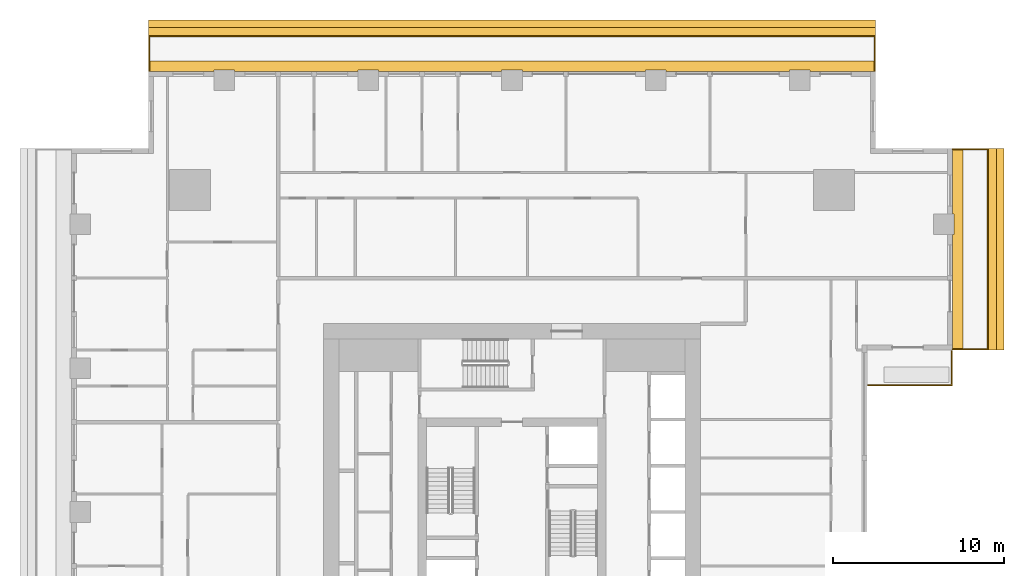
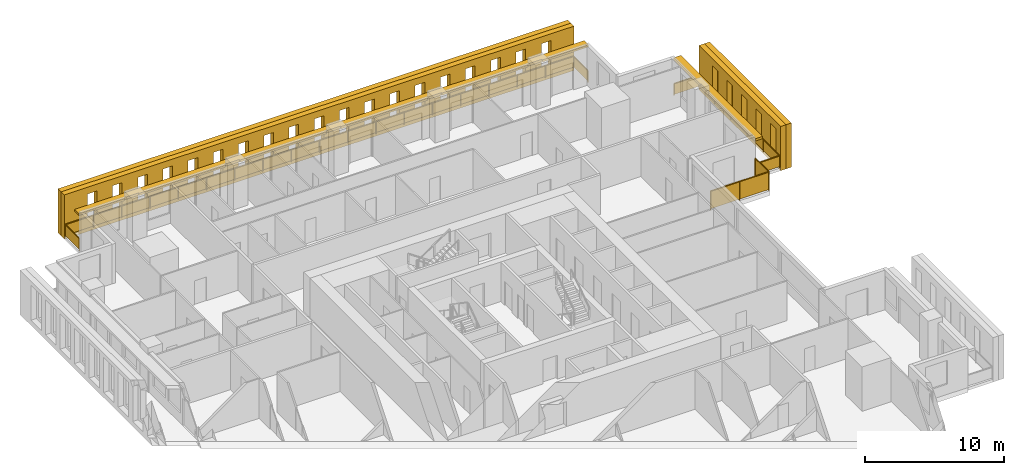
# One storey, part 15 of 15: 6 shading devices, 3 railings.
"""IFC4 building model written with IfcOpenShell, lengths in metres."""

from ifc_helpers import new_model, si_unit, direction, frame, origin, origin_2d, place, context, subcontext, project, spatial, polyline, rectangle, outline, extrude, material, layer, layer_set, type_object, element, save


model = new_model("IFC4")

# Units and contexts
model_context = context("Model", 3, precision=1e-05, world=origin(), true_north=direction((0.0, 1.0)))
body_context = subcontext(model_context, "Body", "Model", "MODEL_VIEW")
ifc_project = project(units=[si_unit("LENGTHUNIT", "METRE"), si_unit("AREAUNIT", "SQUARE_METRE"), si_unit("VOLUMEUNIT", "CUBIC_METRE"), si_unit("PLANEANGLEUNIT", "RADIAN"), si_unit("MASSUNIT", "GRAM", prefix="KILO")], contexts=[model_context])

# Site, building, storey
site_placement = place(None, origin())
site = spatial("IfcSite", under=ifc_project, at=site_placement, CompositionType="ELEMENT")
building_placement = place(site_placement, origin())
building = spatial("IfcBuilding", under=site, at=building_placement, Name="Khepri Terraces", CompositionType="ELEMENT")
storey_placement = place(building_placement, frame((0.0, 0.0, 211.800048828125)))
storey = spatial("IfcBuildingStorey", under=building, at=storey_placement, Name="L50", CompositionType="ELEMENT", Elevation=211.800048828125)

# Railings
ifc_material_1 = material(Name="Stainless steel grade 316", Category="steel")
railing_type_1 = type_object("IfcRailingType", Name="GRD-BAL-1100", PredefinedType="GUARDRAIL", material=ifc_material_1)
railing_1_placement = place(storey_placement, frame((25.719970703125, 9.5, 0.0)))
element("IfcRailing", 1, at=railing_1_placement, inside=storey, type_object=railing_type_1, Name="Balcony guard L50 E", PredefinedType="GUARDRAIL", context=body_context, shape_type="SweptSolid", body=[
    extrude(rectangle(XDim=0.050048828125, YDim=0.06005859375, at=origin_2d()), frame((0.0, 0.0, 1.070068359375), z_axis=(1.0, 0.0, 0.0), x_axis=(0.0, 1.0, 0.0)), (0.0, 0.0, 1.0), 2.050048828125),
    extrude(rectangle(XDim=2.0, YDim=0.011962890625, at=origin_2d()), frame((1.02490234375, 0.0, 0.10009765625), z_axis=(0.0, 0.0, 1.0), x_axis=(1.0, 0.0, 0.0)), (0.0, 0.0, 1.0), 0.93994140625),
    extrude(rectangle(XDim=0.050048828125, YDim=0.06005859375, at=origin_2d()), frame((2.050048828125, 0.0, 1.070068359375), z_axis=(0.0, 1.0, 0.0), x_axis=(-1.0, 0.0, 0.0)), (0.0, 0.0, 1.0), 11.669921875),
    extrude(rectangle(XDim=2.283935546875, YDim=0.011962890625, at=origin_2d()), frame((2.050048828125, 1.1669921875, 0.10009765625), z_axis=(0.0, 0.0, 1.0), x_axis=(0.0, 1.0, 0.0)), (0.0, 0.0, 1.0), 0.93994140625),
    extrude(rectangle(XDim=2.283935546875, YDim=0.011962890625, at=origin_2d()), frame((2.050048828125, 3.5009765625, 0.10009765625), z_axis=(0.0, 0.0, 1.0), x_axis=(0.0, 1.0, 0.0)), (0.0, 0.0, 1.0), 0.93994140625),
    extrude(rectangle(XDim=2.283935546875, YDim=0.011962890625, at=origin_2d()), frame((2.050048828125, 5.8349609375, 0.10009765625), z_axis=(0.0, 0.0, 1.0), x_axis=(0.0, 1.0, 0.0)), (0.0, 0.0, 1.0), 0.93994140625),
    extrude(rectangle(XDim=2.283935546875, YDim=0.011962890625, at=origin_2d()), frame((2.050048828125, 8.1689453125, 0.10009765625), z_axis=(0.0, 0.0, 1.0), x_axis=(0.0, 1.0, 0.0)), (0.0, 0.0, 1.0), 0.93994140625),
    extrude(rectangle(XDim=2.283935546875, YDim=0.011962890625, at=origin_2d()), frame((2.050048828125, 10.5029296875, 0.10009765625), z_axis=(0.0, 0.0, 1.0), x_axis=(0.0, 1.0, 0.0)), (0.0, 0.0, 1.0), 0.93994140625),
    extrude(rectangle(XDim=0.050048828125, YDim=0.06005859375, at=origin_2d()), frame((2.050048828125, 11.669921875, 1.070068359375), z_axis=(-1.0, 0.0, 0.0), x_axis=(0.0, -1.0, 0.0)), (0.0, 0.0, 1.0), 2.050048828125),
    extrude(rectangle(XDim=2.0, YDim=0.011962890625, at=origin_2d()), frame((1.02490234375, 11.669921875, 0.10009765625), z_axis=(0.0, 0.0, 1.0), x_axis=(-1.0, 0.0, 0.0)), (0.0, 0.0, 1.0), 0.93994140625),
    extrude(rectangle(XDim=0.050048828125, YDim=0.050048828125, at=origin_2d()), origin(), (0.0, 0.0, 1.0), 1.0400390625),
    extrude(rectangle(XDim=0.050048828125, YDim=0.050048828125, at=origin_2d()), frame((2.050048828125, 0.0, 0.0)), (0.0, 0.0, 1.0), 1.0400390625),
    extrude(rectangle(XDim=0.050048828125, YDim=0.050048828125, at=origin_2d()), frame((2.050048828125, 2.333984375, 0.0)), (0.0, 0.0, 1.0), 1.0400390625),
    extrude(rectangle(XDim=0.050048828125, YDim=0.050048828125, at=origin_2d()), frame((2.050048828125, 4.66796875, 0.0)), (0.0, 0.0, 1.0), 1.0400390625),
    extrude(rectangle(XDim=0.050048828125, YDim=0.050048828125, at=origin_2d()), frame((2.050048828125, 7.001953125, 0.0)), (0.0, 0.0, 1.0), 1.0400390625),
    extrude(rectangle(XDim=0.050048828125, YDim=0.050048828125, at=origin_2d()), frame((2.050048828125, 9.3359375, 0.0)), (0.0, 0.0, 1.0), 1.0400390625),
    extrude(rectangle(XDim=0.050048828125, YDim=0.050048828125, at=origin_2d()), frame((2.050048828125, 11.669921875, 0.0)), (0.0, 0.0, 1.0), 1.0400390625),
    extrude(rectangle(XDim=0.050048828125, YDim=0.050048828125, at=origin_2d()), frame((0.0, 11.669921875, 0.0)), (0.0, 0.0, 1.0), 1.0400390625),
])
railing_2_placement = place(storey_placement, frame((21.169921875, 25.719970703125, 0.0)))
element("IfcRailing", 2, at=railing_2_placement, inside=storey, type_object=railing_type_1, Name="Balcony guard L50 N", PredefinedType="GUARDRAIL", context=body_context, shape_type="SweptSolid", body=[
    extrude(rectangle(XDim=0.050048828125, YDim=0.06005859375, at=origin_2d()), frame((0.0, 0.0, 1.070068359375), z_axis=(0.0, 1.0, 0.0), x_axis=(-1.0, 0.0, 0.0)), (0.0, 0.0, 1.0), 2.050048828125),
    extrude(rectangle(XDim=2.0, YDim=0.011962890625, at=origin_2d()), frame((0.0, 1.02490234375, 0.10009765625), z_axis=(0.0, 0.0, 1.0), x_axis=(0.0, 1.0, 0.0)), (0.0, 0.0, 1.0), 0.93994140625),
    extrude(rectangle(XDim=0.050048828125, YDim=0.06005859375, at=origin_2d()), frame((0.0, 2.050048828125, 1.070068359375), z_axis=(-1.0, 0.0, 0.0), x_axis=(0.0, -1.0, 0.0)), (0.0, 0.0, 1.0), 42.33984375),
    extrude(rectangle(XDim=2.30224609375, YDim=0.011962890625, at=origin_2d()), frame((-1.176025390625, 2.050048828125, 0.10009765625), z_axis=(0.0, 0.0, 1.0), x_axis=(-1.0, 0.0, 0.0)), (0.0, 0.0, 1.0), 0.93994140625),
    extrude(rectangle(XDim=2.30224609375, YDim=0.011962890625, at=origin_2d()), frame((-3.5283203125, 2.050048828125, 0.10009765625), z_axis=(0.0, 0.0, 1.0), x_axis=(-1.0, 0.0, 0.0)), (0.0, 0.0, 1.0), 0.93994140625),
    extrude(rectangle(XDim=2.30224609375, YDim=0.011962890625, at=origin_2d()), frame((-5.880615234375, 2.050048828125, 0.10009765625), z_axis=(0.0, 0.0, 1.0), x_axis=(-1.0, 0.0, 0.0)), (0.0, 0.0, 1.0), 0.93994140625),
    extrude(rectangle(XDim=2.30224609375, YDim=0.011962890625, at=origin_2d()), frame((-8.232666015625, 2.050048828125, 0.10009765625), z_axis=(0.0, 0.0, 1.0), x_axis=(-1.0, 0.0, 0.0)), (0.0, 0.0, 1.0), 0.93994140625),
    extrude(rectangle(XDim=2.30224609375, YDim=0.011962890625, at=origin_2d()), frame((-10.5849609375, 2.050048828125, 0.10009765625), z_axis=(0.0, 0.0, 1.0), x_axis=(-1.0, 0.0, 0.0)), (0.0, 0.0, 1.0), 0.93994140625),
    extrude(rectangle(XDim=2.30224609375, YDim=0.011962890625, at=origin_2d()), frame((-12.937255859375, 2.050048828125, 0.10009765625), z_axis=(0.0, 0.0, 1.0), x_axis=(-1.0, 0.0, 0.0)), (0.0, 0.0, 1.0), 0.93994140625),
    extrude(rectangle(XDim=2.30224609375, YDim=0.011962890625, at=origin_2d()), frame((-15.289306640625, 2.050048828125, 0.10009765625), z_axis=(0.0, 0.0, 1.0), x_axis=(-1.0, 0.0, 0.0)), (0.0, 0.0, 1.0), 0.93994140625),
    extrude(rectangle(XDim=2.30224609375, YDim=0.011962890625, at=origin_2d()), frame((-17.6416015625, 2.050048828125, 0.10009765625), z_axis=(0.0, 0.0, 1.0), x_axis=(-1.0, 0.0, 0.0)), (0.0, 0.0, 1.0), 0.93994140625),
    extrude(rectangle(XDim=2.30224609375, YDim=0.011962890625, at=origin_2d()), frame((-19.993896484375, 2.050048828125, 0.10009765625), z_axis=(0.0, 0.0, 1.0), x_axis=(-1.0, 0.0, 0.0)), (0.0, 0.0, 1.0), 0.93994140625),
    extrude(rectangle(XDim=2.30224609375, YDim=0.011962890625, at=origin_2d()), frame((-22.345947265625, 2.050048828125, 0.10009765625), z_axis=(0.0, 0.0, 1.0), x_axis=(-1.0, 0.0, 0.0)), (0.0, 0.0, 1.0), 0.93994140625),
    extrude(rectangle(XDim=2.30224609375, YDim=0.011962890625, at=origin_2d()), frame((-24.6982421875, 2.050048828125, 0.10009765625), z_axis=(0.0, 0.0, 1.0), x_axis=(-1.0, 0.0, 0.0)), (0.0, 0.0, 1.0), 0.93994140625),
    extrude(rectangle(XDim=2.30224609375, YDim=0.011962890625, at=origin_2d()), frame((-27.050537109375, 2.050048828125, 0.10009765625), z_axis=(0.0, 0.0, 1.0), x_axis=(-1.0, 0.0, 0.0)), (0.0, 0.0, 1.0), 0.93994140625),
    extrude(rectangle(XDim=2.30224609375, YDim=0.011962890625, at=origin_2d()), frame((-29.402587890625, 2.050048828125, 0.10009765625), z_axis=(0.0, 0.0, 1.0), x_axis=(-1.0, 0.0, 0.0)), (0.0, 0.0, 1.0), 0.93994140625),
    extrude(rectangle(XDim=2.30224609375, YDim=0.011962890625, at=origin_2d()), frame((-31.7548828125, 2.050048828125, 0.10009765625), z_axis=(0.0, 0.0, 1.0), x_axis=(-1.0, 0.0, 0.0)), (0.0, 0.0, 1.0), 0.93994140625),
    extrude(rectangle(XDim=2.30224609375, YDim=0.011962890625, at=origin_2d()), frame((-34.107177734375, 2.050048828125, 0.10009765625), z_axis=(0.0, 0.0, 1.0), x_axis=(-1.0, 0.0, 0.0)), (0.0, 0.0, 1.0), 0.93994140625),
    extrude(rectangle(XDim=2.30224609375, YDim=0.011962890625, at=origin_2d()), frame((-36.459228515625, 2.050048828125, 0.10009765625), z_axis=(0.0, 0.0, 1.0), x_axis=(-1.0, 0.0, 0.0)), (0.0, 0.0, 1.0), 0.93994140625),
    extrude(rectangle(XDim=2.30224609375, YDim=0.011962890625, at=origin_2d()), frame((-38.8115234375, 2.050048828125, 0.10009765625), z_axis=(0.0, 0.0, 1.0), x_axis=(-1.0, 0.0, 0.0)), (0.0, 0.0, 1.0), 0.93994140625),
    extrude(rectangle(XDim=2.30224609375, YDim=0.011962890625, at=origin_2d()), frame((-41.163818359375, 2.050048828125, 0.10009765625), z_axis=(0.0, 0.0, 1.0), x_axis=(-1.0, 0.0, 0.0)), (0.0, 0.0, 1.0), 0.93994140625),
    extrude(rectangle(XDim=0.050048828125, YDim=0.06005859375, at=origin_2d()), frame((-42.33984375, 2.050048828125, 1.070068359375), z_axis=(0.0, -1.0, 0.0), x_axis=(1.0, 0.0, 0.0)), (0.0, 0.0, 1.0), 2.050048828125),
    extrude(rectangle(XDim=2.0, YDim=0.011962890625, at=origin_2d()), frame((-42.33984375, 1.02490234375, 0.10009765625), z_axis=(0.0, 0.0, 1.0), x_axis=(0.0, -1.0, 0.0)), (0.0, 0.0, 1.0), 0.93994140625),
    extrude(rectangle(XDim=0.050048828125, YDim=0.050048828125, at=origin_2d()), origin(), (0.0, 0.0, 1.0), 1.0400390625),
    extrude(rectangle(XDim=0.050048828125, YDim=0.050048828125, at=origin_2d()), frame((0.0, 2.050048828125, 0.0)), (0.0, 0.0, 1.0), 1.0400390625),
    extrude(rectangle(XDim=0.050048828125, YDim=0.050048828125, at=origin_2d()), frame((-2.352294921875, 2.050048828125, 0.0)), (0.0, 0.0, 1.0), 1.0400390625),
    extrude(rectangle(XDim=0.050048828125, YDim=0.050048828125, at=origin_2d()), frame((-4.704345703125, 2.050048828125, 0.0)), (0.0, 0.0, 1.0), 1.0400390625),
    extrude(rectangle(XDim=0.050048828125, YDim=0.050048828125, at=origin_2d()), frame((-7.056640625, 2.050048828125, 0.0)), (0.0, 0.0, 1.0), 1.0400390625),
    extrude(rectangle(XDim=0.050048828125, YDim=0.050048828125, at=origin_2d()), frame((-9.408935546875, 2.050048828125, 0.0)), (0.0, 0.0, 1.0), 1.0400390625),
    extrude(rectangle(XDim=0.050048828125, YDim=0.050048828125, at=origin_2d()), frame((-11.760986328125, 2.050048828125, 0.0)), (0.0, 0.0, 1.0), 1.0400390625),
    extrude(rectangle(XDim=0.050048828125, YDim=0.050048828125, at=origin_2d()), frame((-14.11328125, 2.050048828125, 0.0)), (0.0, 0.0, 1.0), 1.0400390625),
    extrude(rectangle(XDim=0.050048828125, YDim=0.050048828125, at=origin_2d()), frame((-16.465576171875, 2.050048828125, 0.0)), (0.0, 0.0, 1.0), 1.0400390625),
    extrude(rectangle(XDim=0.050048828125, YDim=0.050048828125, at=origin_2d()), frame((-18.817626953125, 2.050048828125, 0.0)), (0.0, 0.0, 1.0), 1.0400390625),
    extrude(rectangle(XDim=0.050048828125, YDim=0.050048828125, at=origin_2d()), frame((-21.169921875, 2.050048828125, 0.0)), (0.0, 0.0, 1.0), 1.0400390625),
    extrude(rectangle(XDim=0.050048828125, YDim=0.050048828125, at=origin_2d()), frame((-23.522216796875, 2.050048828125, 0.0)), (0.0, 0.0, 1.0), 1.0400390625),
    extrude(rectangle(XDim=0.050048828125, YDim=0.050048828125, at=origin_2d()), frame((-25.874267578125, 2.050048828125, 0.0)), (0.0, 0.0, 1.0), 1.0400390625),
    extrude(rectangle(XDim=0.050048828125, YDim=0.050048828125, at=origin_2d()), frame((-28.2265625, 2.050048828125, 0.0)), (0.0, 0.0, 1.0), 1.0400390625),
    extrude(rectangle(XDim=0.050048828125, YDim=0.050048828125, at=origin_2d()), frame((-30.578857421875, 2.050048828125, 0.0)), (0.0, 0.0, 1.0), 1.0400390625),
    extrude(rectangle(XDim=0.050048828125, YDim=0.050048828125, at=origin_2d()), frame((-32.930908203125, 2.050048828125, 0.0)), (0.0, 0.0, 1.0), 1.0400390625),
    extrude(rectangle(XDim=0.050048828125, YDim=0.050048828125, at=origin_2d()), frame((-35.283203125, 2.050048828125, 0.0)), (0.0, 0.0, 1.0), 1.0400390625),
    extrude(rectangle(XDim=0.050048828125, YDim=0.050048828125, at=origin_2d()), frame((-37.635498046875, 2.050048828125, 0.0)), (0.0, 0.0, 1.0), 1.0400390625),
    extrude(rectangle(XDim=0.050048828125, YDim=0.050048828125, at=origin_2d()), frame((-39.987548828125, 2.050048828125, 0.0)), (0.0, 0.0, 1.0), 1.0400390625),
    extrude(rectangle(XDim=0.050048828125, YDim=0.050048828125, at=origin_2d()), frame((-42.33984375, 2.050048828125, 0.0)), (0.0, 0.0, 1.0), 1.0400390625),
    extrude(rectangle(XDim=0.050048828125, YDim=0.050048828125, at=origin_2d()), frame((-42.33984375, 0.0, 0.0)), (0.0, 0.0, 1.0), 1.0400390625),
])
railing_type_2 = type_object("IfcRailingType", Name="GRD-TERR-1700", PredefinedType="GUARDRAIL", material=ifc_material_1)
railing_3_placement = place(storey_placement, frame((25.669921875, 9.3798828125, 0.0)))
element("IfcRailing", 3, at=railing_3_placement, inside=storey, type_object=railing_type_2, Name="Terrace guard L50", PredefinedType="GUARDRAIL", context=body_context, shape_type="SweptSolid", body=[
    extrude(rectangle(XDim=0.050048828125, YDim=0.06005859375, at=origin_2d()), frame((0.0, 0.0, 1.669921875), z_axis=(0.0, -1.0, 0.0), x_axis=(1.0, 0.0, 0.0)), (0.0, 0.0, 1.0), 1.97998046875),
    extrude(rectangle(XDim=1.929931640625, YDim=0.011962890625, at=origin_2d()), frame((0.0, -0.989990234375, 0.10009765625), z_axis=(0.0, 0.0, 1.0), x_axis=(0.0, -1.0, 0.0)), (0.0, 0.0, 1.0), 1.539794921875),
    extrude(rectangle(XDim=0.050048828125, YDim=0.06005859375, at=origin_2d()), frame((0.0, -1.97998046875, 1.669921875), z_axis=(-1.0, 0.0, 0.0), x_axis=(0.0, -1.0, 0.0)), (0.0, 0.0, 1.0), 4.8798828125),
    extrude(rectangle(XDim=2.389892578125, YDim=0.011962890625, at=origin_2d()), frame((-1.219970703125, -1.97998046875, 0.10009765625), z_axis=(0.0, 0.0, 1.0), x_axis=(-1.0, 0.0, 0.0)), (0.0, 0.0, 1.0), 1.539794921875),
    extrude(rectangle(XDim=2.389892578125, YDim=0.011962890625, at=origin_2d()), frame((-3.659912109375, -1.97998046875, 0.10009765625), z_axis=(0.0, 0.0, 1.0), x_axis=(-1.0, 0.0, 0.0)), (0.0, 0.0, 1.0), 1.539794921875),
    extrude(rectangle(XDim=0.050048828125, YDim=0.050048828125, at=origin_2d()), origin(), (0.0, 0.0, 1.0), 1.639892578125),
    extrude(rectangle(XDim=0.050048828125, YDim=0.050048828125, at=origin_2d()), frame((0.0, -1.97998046875, 0.0)), (0.0, 0.0, 1.0), 1.639892578125),
    extrude(rectangle(XDim=0.050048828125, YDim=0.050048828125, at=origin_2d()), frame((-2.43994140625, -1.97998046875, 0.0)), (0.0, 0.0, 1.0), 1.639892578125),
    extrude(rectangle(XDim=0.050048828125, YDim=0.050048828125, at=origin_2d()), frame((-4.8798828125, -1.97998046875, 0.0)), (0.0, 0.0, 1.0), 1.639892578125),
])

# Shading devices
ifc_material_2 = material(Name="Precast concrete C50/60 warm stone", Category="masonry")
shading_device_type_1 = type_object("IfcShadingDeviceType", Name="SCR-CELL-INNER-450", PredefinedType="USERDEFINED", material=ifc_material_2)
shading_device_1_placement = place(storey_placement, frame((27.820068359375, 9.449951171875, -0.25), z_axis=(1.0, 0.0, 0.0), x_axis=(0.0, 1.0, 0.0)))
element("IfcShadingDevice", 4, at=shading_device_1_placement, inside=storey, type_object=shading_device_type_1, Name="Cell screen L50 E in", ObjectType="SCREEN", PredefinedType="USERDEFINED", context=body_context, shape_type="SweptSolid", body=[
    extrude(outline(polyline([(0.0, 0.0), (11.77001953125, 0.0), (11.77001953125, 3.89990234375), (0.0, 3.89990234375), (0.0, 0.0)]), holes=[polyline([(0.6484375, 0.699951171875), (1.45166015625, 0.699951171875), (1.45166015625, 3.300048828125), (0.6484375, 3.300048828125), (0.6484375, 0.699951171875)]), polyline([(2.748291015625, 0.699951171875), (3.551513671875, 0.699951171875), (3.551513671875, 3.300048828125), (2.748291015625, 3.300048828125), (2.748291015625, 0.699951171875)]), polyline([(4.848388671875, 0.699951171875), (5.651611328125, 0.699951171875), (5.651611328125, 3.300048828125), (4.848388671875, 3.300048828125), (4.848388671875, 0.699951171875)]), polyline([(6.948486328125, 0.699951171875), (7.751708984375, 0.699951171875), (7.751708984375, 3.300048828125), (6.948486328125, 3.300048828125), (6.948486328125, 0.699951171875)]), polyline([(9.04833984375, 0.699951171875), (9.8515625, 0.699951171875), (9.8515625, 3.300048828125), (9.04833984375, 3.300048828125), (9.04833984375, 0.699951171875)])]), origin(), (0.0, 0.0, 1.0), 0.449951171875),
])
shading_device_2_placement = place(storey_placement, frame((21.219970703125, 27.820068359375, -0.25), z_axis=(0.0, 1.0, 0.0), x_axis=(-1.0, 0.0, 0.0)))
element("IfcShadingDevice", 5, at=shading_device_2_placement, inside=storey, type_object=shading_device_type_1, Name="Cell screen L50 N in", ObjectType="SCREEN", PredefinedType="USERDEFINED", context=body_context, shape_type="SweptSolid", body=[
    extrude(outline(polyline([(0.0, 0.0), (42.43994140625, 0.0), (42.43994140625, 3.89990234375), (0.0, 3.89990234375), (0.0, 0.0)]), holes=[polyline([(1.91845703125, 0.699951171875), (2.7216796875, 0.699951171875), (2.7216796875, 3.300048828125), (1.91845703125, 3.300048828125), (1.91845703125, 0.699951171875)]), polyline([(4.018310546875, 0.699951171875), (4.821533203125, 0.699951171875), (4.821533203125, 3.300048828125), (4.018310546875, 3.300048828125), (4.018310546875, 0.699951171875)]), polyline([(6.118408203125, 0.699951171875), (6.921630859375, 0.699951171875), (6.921630859375, 3.300048828125), (6.118408203125, 3.300048828125), (6.118408203125, 0.699951171875)]), polyline([(8.218505859375, 0.699951171875), (9.021484375, 0.699951171875), (9.021484375, 3.300048828125), (8.218505859375, 3.300048828125), (8.218505859375, 0.699951171875)]), polyline([(10.318359375, 0.699951171875), (11.12158203125, 0.699951171875), (11.12158203125, 3.300048828125), (10.318359375, 3.300048828125), (10.318359375, 0.699951171875)]), polyline([(12.41845703125, 0.699951171875), (13.2216796875, 0.699951171875), (13.2216796875, 3.300048828125), (12.41845703125, 3.300048828125), (12.41845703125, 0.699951171875)]), polyline([(14.518310546875, 0.699951171875), (15.321533203125, 0.699951171875), (15.321533203125, 3.300048828125), (14.518310546875, 3.300048828125), (14.518310546875, 0.699951171875)]), polyline([(16.618408203125, 0.699951171875), (17.421630859375, 0.699951171875), (17.421630859375, 3.300048828125), (16.618408203125, 3.300048828125), (16.618408203125, 0.699951171875)]), polyline([(18.718505859375, 0.699951171875), (19.521484375, 0.699951171875), (19.521484375, 3.300048828125), (18.718505859375, 3.300048828125), (18.718505859375, 0.699951171875)]), polyline([(20.818359375, 0.699951171875), (21.62158203125, 0.699951171875), (21.62158203125, 3.300048828125), (20.818359375, 3.300048828125), (20.818359375, 0.699951171875)]), polyline([(22.91845703125, 0.699951171875), (23.7216796875, 0.699951171875), (23.7216796875, 3.300048828125), (22.91845703125, 3.300048828125), (22.91845703125, 0.699951171875)]), polyline([(25.018310546875, 0.699951171875), (25.821533203125, 0.699951171875), (25.821533203125, 3.300048828125), (25.018310546875, 3.300048828125), (25.018310546875, 0.699951171875)]), polyline([(27.118408203125, 0.699951171875), (27.921630859375, 0.699951171875), (27.921630859375, 3.300048828125), (27.118408203125, 3.300048828125), (27.118408203125, 0.699951171875)]), polyline([(29.218505859375, 0.699951171875), (30.021484375, 0.699951171875), (30.021484375, 3.300048828125), (29.218505859375, 3.300048828125), (29.218505859375, 0.699951171875)]), polyline([(31.318359375, 0.699951171875), (32.12158203125, 0.699951171875), (32.12158203125, 3.300048828125), (31.318359375, 3.300048828125), (31.318359375, 0.699951171875)]), polyline([(33.41845703125, 0.699951171875), (34.2216796875, 0.699951171875), (34.2216796875, 3.300048828125), (33.41845703125, 3.300048828125), (33.41845703125, 0.699951171875)]), polyline([(35.518310546875, 0.699951171875), (36.321533203125, 0.699951171875), (36.321533203125, 3.300048828125), (35.518310546875, 3.300048828125), (35.518310546875, 0.699951171875)]), polyline([(37.618408203125, 0.699951171875), (38.421630859375, 0.699951171875), (38.421630859375, 3.300048828125), (37.618408203125, 3.300048828125), (37.618408203125, 0.699951171875)]), polyline([(39.718505859375, 0.699951171875), (40.521484375, 0.699951171875), (40.521484375, 3.300048828125), (39.718505859375, 3.300048828125), (39.718505859375, 0.699951171875)])]), origin(), (0.0, 0.0, 1.0), 0.449951171875),
])
shading_device_type_2 = type_object("IfcShadingDeviceType", Name="SCR-CELL-OUTER-450", PredefinedType="USERDEFINED", material=ifc_material_2)
shading_device_3_placement = place(storey_placement, frame((28.27001953125, 9.449951171875, -0.25), z_axis=(1.0, 0.0, 0.0), x_axis=(0.0, 1.0, 0.0)))
element("IfcShadingDevice", 6, at=shading_device_3_placement, inside=storey, type_object=shading_device_type_2, Name="Cell screen L50 E out", ObjectType="SCREEN", PredefinedType="USERDEFINED", context=body_context, shape_type="SweptSolid", body=[
    extrude(outline(polyline([(0.0, 0.0), (11.77001953125, 0.0), (11.77001953125, 3.89990234375), (0.0, 3.89990234375), (0.0, 0.0)]), holes=[polyline([(0.29833984375, 0.449951171875), (1.801513671875, 0.449951171875), (1.801513671875, 3.550048828125), (0.29833984375, 3.550048828125), (0.29833984375, 0.449951171875)]), polyline([(2.3984375, 0.449951171875), (3.901611328125, 0.449951171875), (3.901611328125, 3.550048828125), (2.3984375, 3.550048828125), (2.3984375, 0.449951171875)]), polyline([(4.498291015625, 0.449951171875), (6.001708984375, 0.449951171875), (6.001708984375, 3.550048828125), (4.498291015625, 3.550048828125), (4.498291015625, 0.449951171875)]), polyline([(6.598388671875, 0.449951171875), (8.1015625, 0.449951171875), (8.1015625, 3.550048828125), (6.598388671875, 3.550048828125), (6.598388671875, 0.449951171875)]), polyline([(8.698486328125, 0.449951171875), (10.20166015625, 0.449951171875), (10.20166015625, 3.550048828125), (8.698486328125, 3.550048828125), (8.698486328125, 0.449951171875)])]), origin(), (0.0, 0.0, 1.0), 0.449951171875),
])
shading_device_4_placement = place(storey_placement, frame((21.219970703125, 28.27001953125, -0.25), z_axis=(0.0, 1.0, 0.0), x_axis=(-1.0, 0.0, 0.0)))
element("IfcShadingDevice", 7, at=shading_device_4_placement, inside=storey, type_object=shading_device_type_2, Name="Cell screen L50 N out", ObjectType="SCREEN", PredefinedType="USERDEFINED", context=body_context, shape_type="SweptSolid", body=[
    extrude(outline(polyline([(0.0, 0.0), (42.43994140625, 0.0), (42.43994140625, 3.89990234375), (0.0, 3.89990234375), (0.0, 0.0)]), holes=[polyline([(1.568359375, 0.449951171875), (3.071533203125, 0.449951171875), (3.071533203125, 3.550048828125), (1.568359375, 3.550048828125), (1.568359375, 0.449951171875)]), polyline([(3.66845703125, 0.449951171875), (5.171630859375, 0.449951171875), (5.171630859375, 3.550048828125), (3.66845703125, 3.550048828125), (3.66845703125, 0.449951171875)]), polyline([(5.768310546875, 0.449951171875), (7.271484375, 0.449951171875), (7.271484375, 3.550048828125), (5.768310546875, 3.550048828125), (5.768310546875, 0.449951171875)]), polyline([(7.868408203125, 0.449951171875), (9.37158203125, 0.449951171875), (9.37158203125, 3.550048828125), (7.868408203125, 3.550048828125), (7.868408203125, 0.449951171875)]), polyline([(9.968505859375, 0.449951171875), (11.4716796875, 0.449951171875), (11.4716796875, 3.550048828125), (9.968505859375, 3.550048828125), (9.968505859375, 0.449951171875)]), polyline([(12.068359375, 0.449951171875), (13.571533203125, 0.449951171875), (13.571533203125, 3.550048828125), (12.068359375, 3.550048828125), (12.068359375, 0.449951171875)]), polyline([(14.16845703125, 0.449951171875), (15.671630859375, 0.449951171875), (15.671630859375, 3.550048828125), (14.16845703125, 3.550048828125), (14.16845703125, 0.449951171875)]), polyline([(16.268310546875, 0.449951171875), (17.771484375, 0.449951171875), (17.771484375, 3.550048828125), (16.268310546875, 3.550048828125), (16.268310546875, 0.449951171875)]), polyline([(18.368408203125, 0.449951171875), (19.87158203125, 0.449951171875), (19.87158203125, 3.550048828125), (18.368408203125, 3.550048828125), (18.368408203125, 0.449951171875)]), polyline([(20.468505859375, 0.449951171875), (21.9716796875, 0.449951171875), (21.9716796875, 3.550048828125), (20.468505859375, 3.550048828125), (20.468505859375, 0.449951171875)]), polyline([(22.568359375, 0.449951171875), (24.071533203125, 0.449951171875), (24.071533203125, 3.550048828125), (22.568359375, 3.550048828125), (22.568359375, 0.449951171875)]), polyline([(24.66845703125, 0.449951171875), (26.171630859375, 0.449951171875), (26.171630859375, 3.550048828125), (24.66845703125, 3.550048828125), (24.66845703125, 0.449951171875)]), polyline([(26.768310546875, 0.449951171875), (28.271484375, 0.449951171875), (28.271484375, 3.550048828125), (26.768310546875, 3.550048828125), (26.768310546875, 0.449951171875)]), polyline([(28.868408203125, 0.449951171875), (30.37158203125, 0.449951171875), (30.37158203125, 3.550048828125), (28.868408203125, 3.550048828125), (28.868408203125, 0.449951171875)]), polyline([(30.968505859375, 0.449951171875), (32.4716796875, 0.449951171875), (32.4716796875, 3.550048828125), (30.968505859375, 3.550048828125), (30.968505859375, 0.449951171875)]), polyline([(33.068359375, 0.449951171875), (34.571533203125, 0.449951171875), (34.571533203125, 3.550048828125), (33.068359375, 3.550048828125), (33.068359375, 0.449951171875)]), polyline([(35.16845703125, 0.449951171875), (36.671630859375, 0.449951171875), (36.671630859375, 3.550048828125), (35.16845703125, 3.550048828125), (35.16845703125, 0.449951171875)]), polyline([(37.268310546875, 0.449951171875), (38.771484375, 0.449951171875), (38.771484375, 3.550048828125), (37.268310546875, 3.550048828125), (37.268310546875, 0.449951171875)]), polyline([(39.368408203125, 0.449951171875), (40.87158203125, 0.449951171875), (40.87158203125, 3.550048828125), (39.368408203125, 3.550048828125), (39.368408203125, 0.449951171875)])]), origin(), (0.0, 0.0, 1.0), 0.449951171875),
])
ifc_layer = layer(ifc_material_2, 0.199951171875, Name="Precast concrete C50/60 warm stone", Category="masonry")
ifc_layer_set = layer_set([ifc_layer], Name="Precast concrete C50/60 warm stone")
shading_device_type_3 = type_object("IfcShadingDeviceType", Name="SSH-BAND-STONE-200-N", PredefinedType="USERDEFINED", material=ifc_layer_set)
shading_device_5_placement = place(storey_placement, frame((0.0, 0.0, 3.099853515625)))
element("IfcShadingDevice", 8, at=shading_device_5_placement, inside=storey, type_object=shading_device_type_3, Name="Sunshade band L50 E", ObjectType="SUNSHADE", PredefinedType="USERDEFINED", context=body_context, shape_type="SweptSolid", body=[
    extrude(outline(polyline([(25.719970703125, 16.199951171875), (25.719970703125, 9.449951171875), (26.320068359375, 9.449951171875), (26.320068359375, 21.219970703125), (25.719970703125, 21.219970703125), (25.719970703125, 17.39990234375), (25.800048828125, 17.39990234375), (25.800048828125, 16.199951171875), (25.719970703125, 16.199951171875)])), origin(), (0.0, 0.0, 1.0), 0.2001953125),
])
shading_device_6_placement = place(storey_placement, frame((0.0, 0.0, 3.099853515625)))
element("IfcShadingDevice", 9, at=shading_device_6_placement, inside=storey, type_object=shading_device_type_3, Name="Sunshade band L50 N", ObjectType="SUNSHADE", PredefinedType="USERDEFINED", context=body_context, shape_type="SweptSolid", body=[
    extrude(outline(polyline([(17.39990234375, 25.719970703125), (21.219970703125, 25.719970703125), (21.219970703125, 26.320068359375), (-21.219970703125, 26.320068359375), (-21.219970703125, 25.719970703125), (-17.39990234375, 25.719970703125), (-17.39990234375, 25.800048828125), (-16.199951171875, 25.800048828125), (-16.199951171875, 25.719970703125), (-9.0, 25.719970703125), (-9.0, 25.800048828125), (-7.800048828125, 25.800048828125), (-7.800048828125, 25.719970703125), (-0.60009765625, 25.719970703125), (-0.60009765625, 25.800048828125), (0.60009765625, 25.800048828125), (0.60009765625, 25.719970703125), (7.800048828125, 25.719970703125), (7.800048828125, 25.800048828125), (9.0, 25.800048828125), (9.0, 25.719970703125), (16.199951171875, 25.719970703125), (16.199951171875, 25.800048828125), (17.39990234375, 25.800048828125), (17.39990234375, 25.719970703125)])), origin(), (0.0, 0.0, 1.0), 0.2001953125),
])

save(model, "model.ifc")
